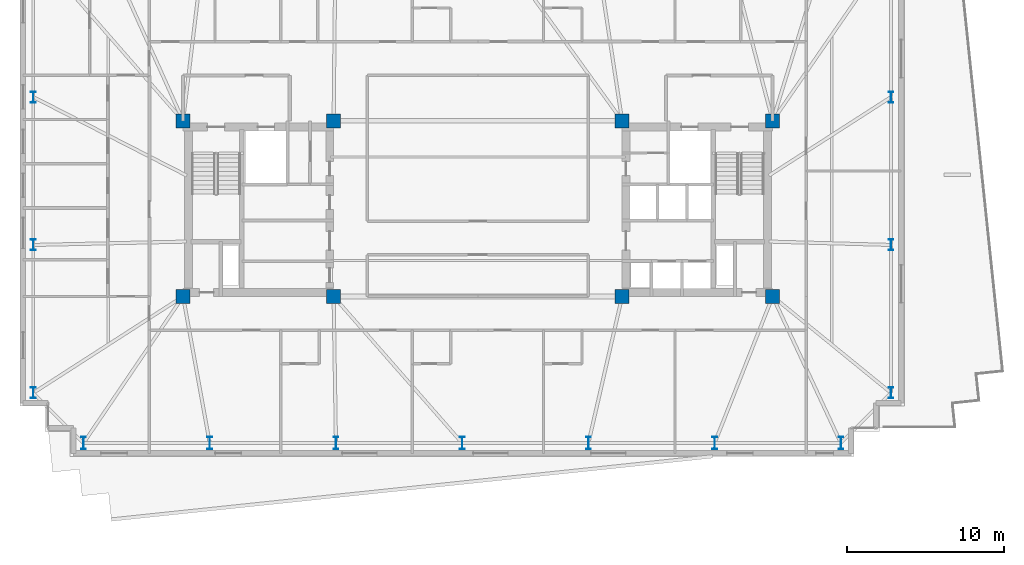
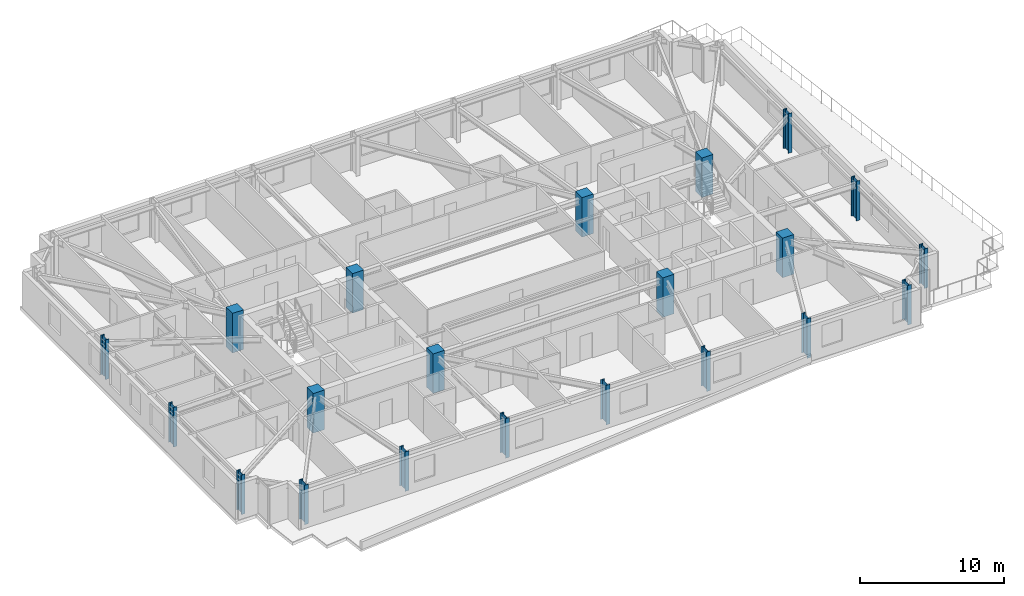
# One storey, part 1 of 19: 21 columns.
"""IFC4 building model written with IfcOpenShell, lengths in metres."""

from ifc_helpers import new_model, si_unit, direction, frame, origin, origin_2d, place, context, subcontext, project, spatial, rectangle, i_section, extrude, material, material_profile, profile_set, type_object, element, save


model = new_model("IFC4")

# Units and contexts
model_context = context("Model", 3, precision=1e-05, world=origin(), true_north=direction((0.0, 1.0)))
body_context = subcontext(model_context, "Body", "Model", "MODEL_VIEW")
ifc_project = project(units=[si_unit("LENGTHUNIT", "METRE"), si_unit("AREAUNIT", "SQUARE_METRE"), si_unit("VOLUMEUNIT", "CUBIC_METRE"), si_unit("PLANEANGLEUNIT", "RADIAN"), si_unit("MASSUNIT", "GRAM", prefix="KILO")], contexts=[model_context])

# Site, building, storey
site_placement = place(None, origin())
site = spatial("IfcSite", under=ifc_project, at=site_placement, CompositionType="ELEMENT")
building_placement = place(site_placement, origin())
building = spatial("IfcBuilding", under=site, at=building_placement, Name="Qobustan Lattice House", CompositionType="ELEMENT")
storey_placement = place(building_placement, frame((0.0, 0.0, 131.0)))
storey = spatial("IfcBuildingStorey", under=building, at=storey_placement, Name="L36", CompositionType="ELEMENT", Elevation=131.0)

# Columns
ifc_material_1 = material(Name="Concrete C50/60", Category="concrete")
ifc_material_profile_1 = material_profile(ifc_material_1, rectangle(XDim=0.89990234375, YDim=0.89990234375, at=origin_2d()), Name="RC900x900")
ifc_profile_set_1 = profile_set([ifc_material_profile_1], Name="Concrete C50/60")
column_type_1 = type_object("IfcColumnType", Name="COL-RC-900", PredefinedType="COLUMN", material=ifc_profile_set_1)
for number, where, z_axis, x_axis, name in (
    (1, (-18.800048828125, -5.60009765625, 0.0), (0.0, 0.0, 1.0), (1.0, 0.0, 0.0), "L36 core mega-column CW-SW"),
    (2, (-18.800048828125, 5.60009765625, 0.0), (0.0, 0.0, 1.0), (1.0, 0.0, 0.0), "L36 core mega-column CW-NW"),
    (3, (-9.199951171875, -5.60009765625, 0.0), (0.0, 0.0, 1.0), (1.0, 0.0, 0.0), "L36 core mega-column CW-SE"),
    (4, (-9.199951171875, 5.60009765625, 0.0), (0.0, 0.0, 1.0), (1.0, 0.0, 0.0), "L36 core mega-column CW-NE"),
    (5, (9.199951171875, -5.60009765625, 0.0), (0.0, 0.0, 1.0), (1.0, 0.0, 0.0), "L36 core mega-column CE-SW"),
    (6, (9.199951171875, 5.60009765625, 0.0), (0.0, 0.0, 1.0), (1.0, 0.0, 0.0), "L36 core mega-column CE-NW"),
    (7, (18.800048828125, -5.60009765625, 0.0), (0.0, 0.0, 1.0), (1.0, 0.0, 0.0), "L36 core mega-column CE-SE"),
    (8, (18.800048828125, 5.60009765625, 0.0), (0.0, 0.0, 1.0), (1.0, 0.0, 0.0), "L36 core mega-column CE-NE"),
):
    element("IfcColumn", number, at=place(storey_placement, frame(where, z_axis=z_axis, x_axis=x_axis)), inside=storey, type_object=column_type_1, Name=name, PredefinedType="COLUMN", context=body_context, shape_type="SweptSolid", body=[
        extrude(rectangle(XDim=0.89990234375, YDim=0.89990234375, at=origin_2d()), origin(), (0.0, 0.0, 1.0), 3.35009765625),
    ])
ifc_material_2 = material(Name="Steel S355", Category="steel")
ifc_material_profile_2 = material_profile(ifc_material_2, i_section(OverallWidth=0.300048828125, OverallDepth=0.699951171875, WebThickness=0.01708984375, FlangeThickness=0.031982421875, FilletRadius=0.027099609375, at=origin_2d()), Name="HEB700")
ifc_profile_set_2 = profile_set([ifc_material_profile_2], Name="Steel S355")
column_type_2 = type_object("IfcColumnType", Name="COL-ST-HEB700", PredefinedType="COLUMN", material=ifc_profile_set_2)
for number, where, z_axis, x_axis, name in (
    (9, (26.35009765625, -11.75, 0.0), (0.0, 0.0, 1.0), (1.0, 0.0, 0.0), "L36 B3 perimeter column E1"),
    (10, (26.35009765625, -2.316650390625, 0.0), (0.0, 0.0, 1.0), (1.0, 0.0, 0.0), "L36 B3 perimeter column E2"),
    (11, (26.35009765625, 7.11669921875, 0.0), (0.0, 0.0, 1.0), (1.0, 0.0, 0.0), "L36 B3 perimeter column E3"),
    (12, (-28.35009765625, 7.11669921875, 0.0), (0.0, 0.0, 1.0), (1.0, 0.0, 0.0), "L36 B3 perimeter column W2"),
    (13, (-28.35009765625, -2.316650390625, 0.0), (0.0, 0.0, 1.0), (1.0, 0.0, 0.0), "L36 B3 perimeter column W3"),
    (14, (-28.35009765625, -11.75, 0.0), (0.0, 0.0, 1.0), (1.0, 0.0, 0.0), "L36 B3 perimeter column W4"),
):
    element("IfcColumn", number, at=place(storey_placement, frame(where, z_axis=z_axis, x_axis=x_axis)), inside=storey, type_object=column_type_2, Name=name, PredefinedType="COLUMN", context=body_context, shape_type="SweptSolid", body=[
        extrude(i_section(OverallWidth=0.300048828125, OverallDepth=0.699951171875, WebThickness=0.01708984375, FlangeThickness=0.031982421875, FilletRadius=0.027099609375, at=origin_2d()), origin(), (0.0, 0.0, 1.0), 3.35009765625),
    ])
ifc_material_3 = material(Name="Steel S355", Category="steel")
ifc_material_profile_3 = material_profile(ifc_material_3, i_section(OverallWidth=0.300048828125, OverallDepth=0.800048828125, WebThickness=0.017578125, FlangeThickness=0.032958984375, FilletRadius=0.030029296875, at=origin_2d()), Name="HEB800")
ifc_profile_set_3 = profile_set([ifc_material_profile_3], Name="Steel S355")
column_type_3 = type_object("IfcColumnType", Name="COL-ST-HEB800", PredefinedType="COLUMN", material=ifc_profile_set_3)
for number, where, z_axis, x_axis, name in (
    (15, (-25.14990234375, -14.949951171875, 0.0), (0.0, 0.0, 1.0), (1.0, 0.0, 0.0), "L36 B3 perimeter column S1"),
    (16, (-17.10009765625, -14.949951171875, 0.0), (0.0, 0.0, 1.0), (1.0, 0.0, 0.0), "L36 B3 perimeter column S2"),
    (17, (-9.050048828125, -14.949951171875, 0.0), (0.0, 0.0, 1.0), (1.0, 0.0, 0.0), "L36 B3 perimeter column S3"),
    (18, (-1.0, -14.949951171875, 0.0), (0.0, 0.0, 1.0), (1.0, 0.0, 0.0), "L36 B3 perimeter column S4"),
    (19, (7.050048828125, -14.949951171875, 0.0), (0.0, 0.0, 1.0), (1.0, 0.0, 0.0), "L36 B3 perimeter column S5"),
    (20, (15.10009765625, -14.949951171875, 0.0), (0.0, 0.0, 1.0), (1.0, 0.0, 0.0), "L36 B3 perimeter column S6"),
    (21, (23.14990234375, -14.949951171875, 0.0), (0.0, 0.0, 1.0), (1.0, 0.0, 0.0), "L36 B3 perimeter column S7"),
):
    element("IfcColumn", number, at=place(storey_placement, frame(where, z_axis=z_axis, x_axis=x_axis)), inside=storey, type_object=column_type_3, Name=name, PredefinedType="COLUMN", context=body_context, shape_type="SweptSolid", body=[
        extrude(i_section(OverallWidth=0.300048828125, OverallDepth=0.800048828125, WebThickness=0.017578125, FlangeThickness=0.032958984375, FilletRadius=0.030029296875, at=origin_2d()), origin(), (0.0, 0.0, 1.0), 3.35009765625),
    ])

save(model, "model.ifc")
